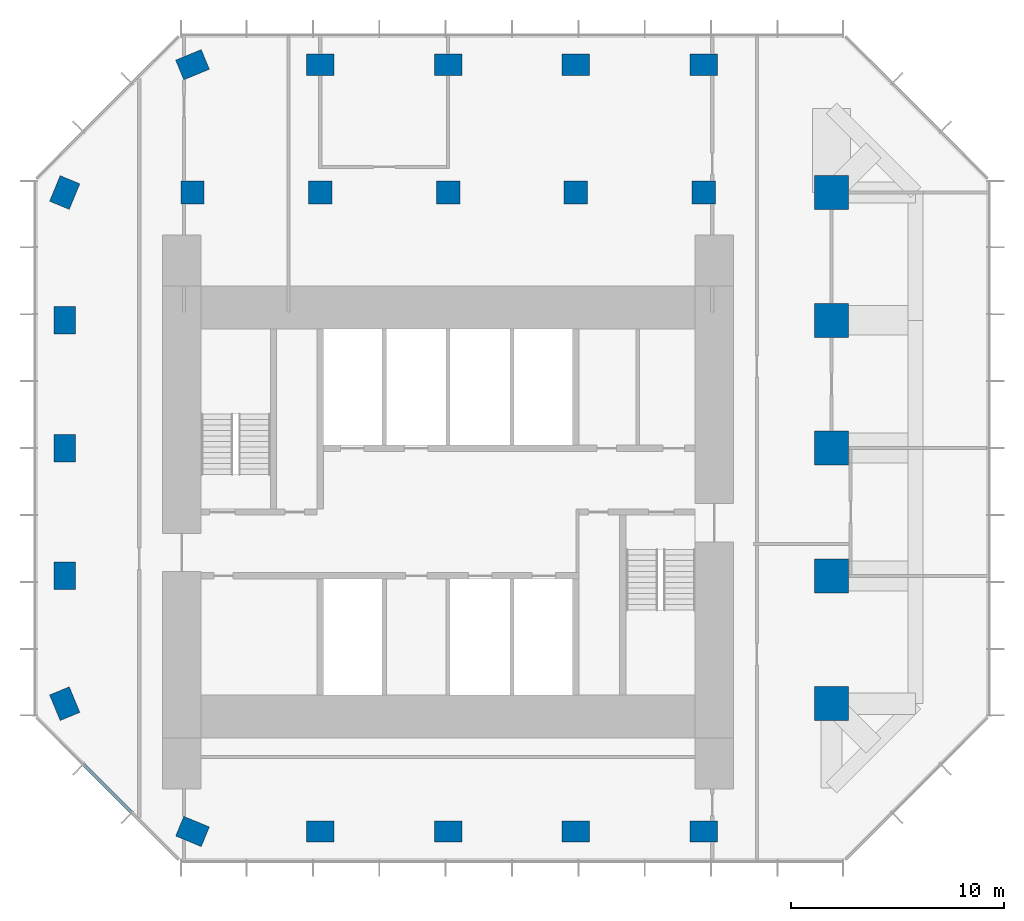
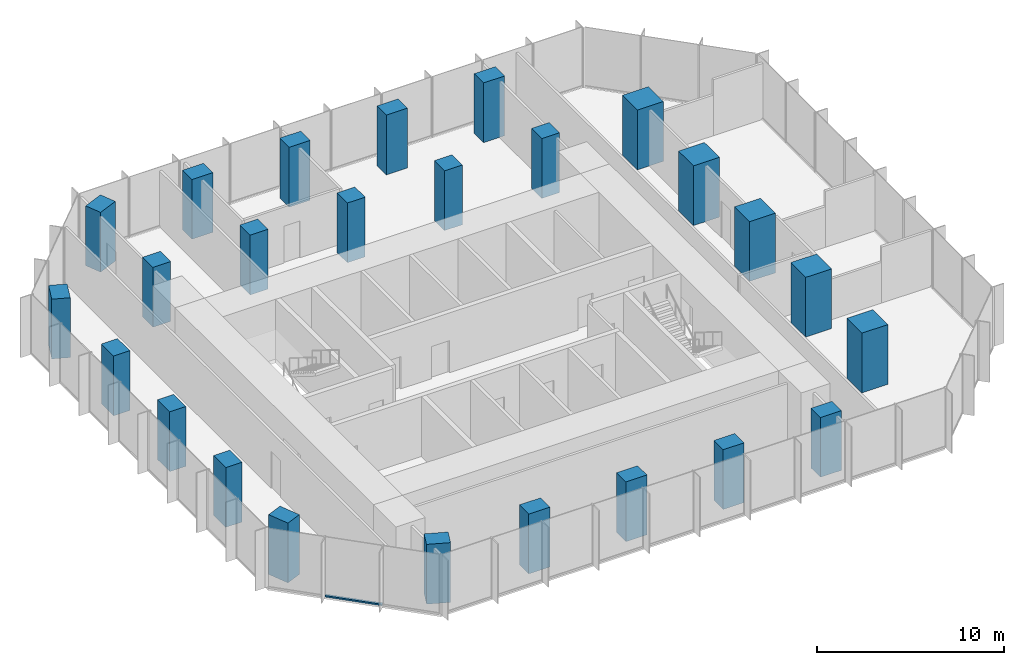
# One storey, part 1 of 10: 25 columns, 1 member, 1 element without a shape of its own.
"""IFC4 building model written with IfcOpenShell, lengths in metres."""

from ifc_helpers import new_model, si_unit, direction, frame, origin, origin_2d, place, context, subcontext, project, spatial, rectangle, extrude, material, layer, layer_set, material_profile, profile_set, type_object, element, aggregate, save


model = new_model("IFC4")

# Units and contexts
model_context = context("Model", 3, precision=1e-05, world=origin(), true_north=direction((0.0, 1.0)))
body_context = subcontext(model_context, "Body", "Model", "MODEL_VIEW")
ifc_project = project(units=[si_unit("LENGTHUNIT", "METRE"), si_unit("AREAUNIT", "SQUARE_METRE"), si_unit("VOLUMEUNIT", "CUBIC_METRE"), si_unit("PLANEANGLEUNIT", "RADIAN"), si_unit("MASSUNIT", "GRAM", prefix="KILO")], contexts=[model_context])

# Site, building, storey
site_placement = place(None, origin())
site = spatial("IfcSite", under=ifc_project, at=site_placement, CompositionType="ELEMENT")
building_placement = place(site_placement, origin())
building = spatial("IfcBuilding", under=site, at=building_placement, Name="Highveld Stack Headquarters", CompositionType="ELEMENT")
storey_placement = place(building_placement, frame((0.0, 0.0, 256.699951171875)))
storey = spatial("IfcBuildingStorey", under=building, at=storey_placement, Name="L63", CompositionType="ELEMENT", Elevation=256.699951171875)

# Columns
ifc_material_1 = material(Name="Concrete C60/75", Category="concrete")
ifc_material_profile_1 = material_profile(ifc_material_1, rectangle(XDim=1.10009765625, YDim=1.10009765625, at=origin_2d()), Name="RC 1100x1100")
ifc_profile_set_1 = profile_set([ifc_material_profile_1], Name="Concrete C60/75")
column_type_1 = type_object("IfcColumnType", Name="COLUMN RC 1100x1100 C60/75", PredefinedType="COLUMN", material=ifc_profile_set_1)
for number, where, z_axis, x_axis, name in (
    (1, (-6.0, 18.0, 0.0), (0.0, 0.0, 1.0), (1.0, 0.0, 0.0), "Column 5/H L63"),
    (2, (0.0, 18.0, 0.0), (0.0, 0.0, 1.0), (1.0, 0.0, 0.0), "Column 6/H L63"),
    (3, (6.0, 18.0, 0.0), (0.0, 0.0, 1.0), (1.0, 0.0, 0.0), "Column 7/H L63"),
    (4, (12.0, 18.0, 0.0), (0.0, 0.0, 1.0), (1.0, 0.0, 0.0), "Column 8/H L63"),
    (5, (18.0, 18.0, 0.0), (0.0, 0.0, 1.0), (1.0, 0.0, 0.0), "Column 9/H L63"),
):
    element("IfcColumn", number, at=place(storey_placement, frame(where, z_axis=z_axis, x_axis=x_axis)), inside=storey, type_object=column_type_1, Name=name, PredefinedType="COLUMN", context=body_context, shape_type="SweptSolid", body=[
        extrude(rectangle(XDim=1.10009765625, YDim=1.10009765625, at=origin_2d()), origin(), (0.0, 0.0, 1.0), 3.900146484375),
    ])
ifc_material_2 = material(Name="Concrete C60/75", Category="concrete")
ifc_material_profile_2 = material_profile(ifc_material_2, rectangle(XDim=1.300048828125, YDim=1.0, at=origin_2d()), Name="RC 1300x1000")
ifc_profile_set_2 = profile_set([ifc_material_profile_2], Name="Concrete C60/75")
column_type_2 = type_object("IfcColumnType", Name="COLUMN RC 1300x1000 C60/75", PredefinedType="COLUMN", material=ifc_profile_set_2)
for number, where, z_axis, x_axis, name in (
    (6, (-12.0, -6.0, 0.0), (0.0, 0.0, 1.0), (-0.382683432365, 0.923879532511, 0.0), "Column 4/D L63"),
    (7, (-12.0, 0.0, 0.0), (0.0, 0.0, 1.0), (0.0, 1.0, 0.0), "Column 4/E L63"),
    (8, (-12.0, 6.0, 0.0), (0.0, 0.0, 1.0), (0.0, 1.0, 0.0), "Column 4/F L63"),
    (9, (-12.0, 12.0, 0.0), (0.0, 0.0, 1.0), (0.0, 1.0, 0.0), "Column 4/G L63"),
    (10, (-12.0, 18.0, 0.0), (0.0, 0.0, 1.0), (0.382683432365, 0.923879532511, 0.0), "Column 4/H L63"),
    (11, (-6.0, -12.0, 0.0), (0.0, 0.0, 1.0), (-0.923879532511, 0.382683432365, 0.0), "Column 5/C L63"),
    (12, (-6.0, 24.0, 0.0), (0.0, 0.0, 1.0), (0.923879532511, 0.382683432365, 0.0), "Column 5/J L63"),
    (13, (0.0, -12.0, 0.0), (0.0, 0.0, 1.0), (1.0, 0.0, 0.0), "Column 6/C L63"),
    (14, (0.0, 24.0, 0.0), (0.0, 0.0, 1.0), (1.0, 0.0, 0.0), "Column 6/J L63"),
    (15, (6.0, -12.0, 0.0), (0.0, 0.0, 1.0), (1.0, 0.0, 0.0), "Column 7/C L63"),
    (16, (6.0, 24.0, 0.0), (0.0, 0.0, 1.0), (1.0, 0.0, 0.0), "Column 7/J L63"),
    (17, (12.0, -12.0, 0.0), (0.0, 0.0, 1.0), (1.0, 0.0, 0.0), "Column 8/C L63"),
    (18, (12.0, 24.0, 0.0), (0.0, 0.0, 1.0), (1.0, 0.0, 0.0), "Column 8/J L63"),
    (19, (18.0, -12.0, 0.0), (0.0, 0.0, 1.0), (1.0, 0.0, 0.0), "Column 9/C L63"),
    (20, (18.0, 24.0, 0.0), (0.0, 0.0, 1.0), (1.0, 0.0, 0.0), "Column 9/J L63"),
):
    element("IfcColumn", number, at=place(storey_placement, frame(where, z_axis=z_axis, x_axis=x_axis)), inside=storey, type_object=column_type_2, Name=name, PredefinedType="COLUMN", context=body_context, shape_type="SweptSolid", body=[
        extrude(rectangle(XDim=1.300048828125, YDim=1.0, at=origin_2d()), origin(), (0.0, 0.0, 1.0), 3.900146484375),
    ])
ifc_material_3 = material(Name="Concrete C60/75", Category="concrete")
ifc_material_profile_3 = material_profile(ifc_material_3, rectangle(XDim=1.60009765625, YDim=1.60009765625, at=origin_2d()), Name="RC 1600x1600")
ifc_profile_set_3 = profile_set([ifc_material_profile_3], Name="Concrete C60/75")
column_type_3 = type_object("IfcColumnType", Name="COLUMN RC 1600x1600 C60/75", PredefinedType="COLUMN", material=ifc_profile_set_3)
for number, where, z_axis, x_axis, name in (
    (21, (24.0, -6.0, 0.0), (0.0, 0.0, 1.0), (1.0, 0.0, 0.0), "Column 10/D L63"),
    (22, (24.0, 0.0, 0.0), (0.0, 0.0, 1.0), (1.0, 0.0, 0.0), "Column 10/E L63"),
    (23, (24.0, 6.0, 0.0), (0.0, 0.0, 1.0), (1.0, 0.0, 0.0), "Column 10/F L63"),
    (24, (24.0, 12.0, 0.0), (0.0, 0.0, 1.0), (1.0, 0.0, 0.0), "Column 10/G L63"),
    (25, (24.0, 18.0, 0.0), (0.0, 0.0, 1.0), (1.0, 0.0, 0.0), "Column 10/H L63"),
):
    element("IfcColumn", number, at=place(storey_placement, frame(where, z_axis=z_axis, x_axis=x_axis)), inside=storey, type_object=column_type_3, Name=name, PredefinedType="COLUMN", context=body_context, shape_type="SweptSolid", body=[
        extrude(rectangle(XDim=1.60009765625, YDim=1.60009765625, at=origin_2d()), origin(), (0.0, 0.0, 1.0), 3.900146484375),
    ])

# Curtain wall, member
ifc_material_4 = material(Name="Aluminium bronze anodised", Category="aluminium")
ifc_layer = layer(ifc_material_4, 0.199951171875)
ifc_layer_set = layer_set([ifc_layer], Name="Aluminium bronze anodised")
curtain_wall_type = type_object("IfcCurtainWallType", Name="CW5 EXECUTIVE UNITISED CURTAIN WALL", PredefinedType="NOTDEFINED", material=ifc_layer_set)
curtain_wall_placement = place(storey_placement, origin())
curtain_wall = element("IfcCurtainWall", 26, at=curtain_wall_placement, inside=storey, type_object=curtain_wall_type, Name="Curtain wall CW5 L63 SW", PredefinedType="NOTDEFINED")
ifc_material_5 = material(Name="Aluminium bronze anodised", Category="aluminium")
ifc_material_profile_4 = material_profile(ifc_material_5, rectangle(XDim=0.14990234375, YDim=0.10009765625, at=origin_2d()), Name="CW5 TRANSOM 150x100")
ifc_profile_set_4 = profile_set([ifc_material_profile_4], Name="Aluminium bronze anodised")
member_type = type_object("IfcMemberType", Name="CW5 STACK TRANSOM 150x100", PredefinedType="USERDEFINED", material=ifc_profile_set_4)
member_placement = place(storey_placement, frame((-11.103759765625, -8.876220703125, 0.050048828125), z_axis=(0.707106781187, -0.707106781187, 0.0), x_axis=(0.707106781187, 0.707106781187, 0.0)))
member = element("IfcMember", 27, at=member_placement, type_object=member_type, Name="CW5 transom L63 2.1", ObjectType="TRANSOM", PredefinedType="USERDEFINED", context=body_context, shape_type="SweptSolid", body=[
    extrude(rectangle(XDim=0.14990234375, YDim=0.10009765625, at=origin_2d()), origin(), (0.0, 0.0, 1.0), 3.150146484375),
])
aggregate(curtain_wall, [member])

save(model, "model.ifc")
